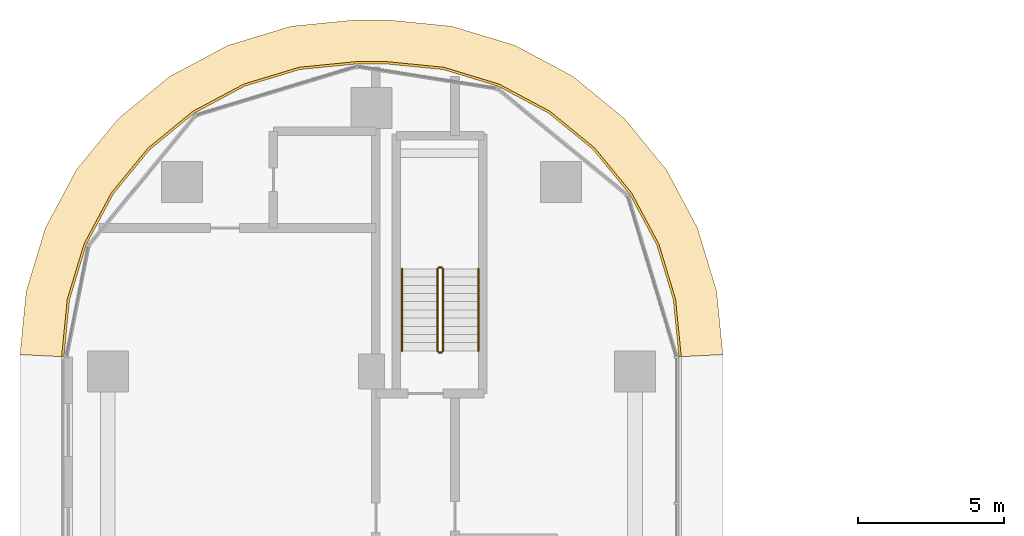
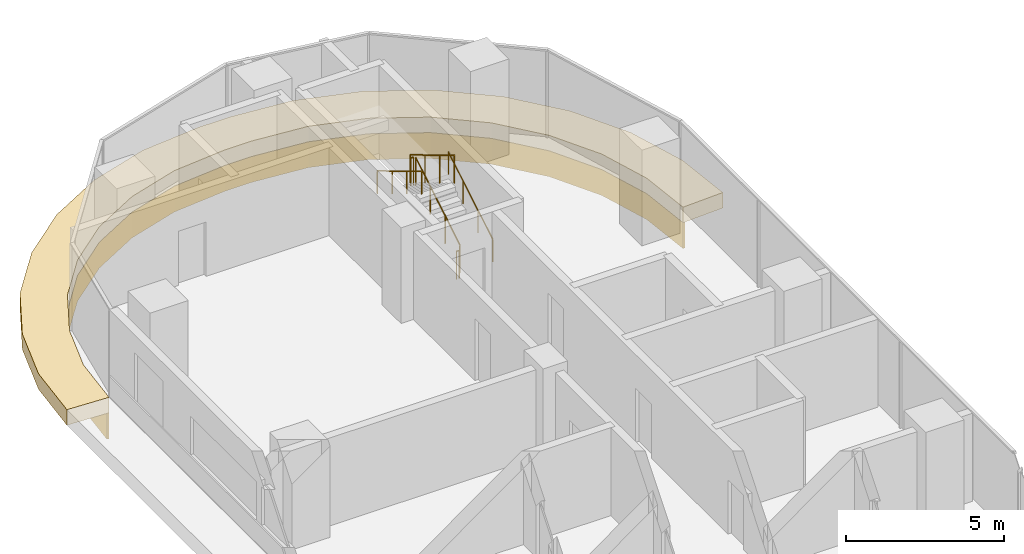
# One storey, part 33 of 36: 6 railings, 2 coverings.
"""IFC4 building model written with IfcOpenShell, lengths in metres."""

from ifc_helpers import new_model, si_unit, direction, frame, origin, origin_2d, place, context, subcontext, project, spatial, polyline, circle, outline, extrude, material, layer, layer_set, type_object, element, save


model = new_model("IFC4")

# Units and contexts
model_context = context("Model", 3, precision=1e-05, world=origin(), true_north=direction((0.0, 1.0)))
body_context = subcontext(model_context, "Body", "Model", "MODEL_VIEW")
ifc_project = project(units=[si_unit("LENGTHUNIT", "METRE"), si_unit("AREAUNIT", "SQUARE_METRE"), si_unit("VOLUMEUNIT", "CUBIC_METRE"), si_unit("PLANEANGLEUNIT", "RADIAN"), si_unit("MASSUNIT", "GRAM", prefix="KILO")], contexts=[model_context])

# Site, building, storey
site_placement = place(None, origin())
site = spatial("IfcSite", under=ifc_project, at=site_placement, CompositionType="ELEMENT")
building_placement = place(site_placement, origin())
building = spatial("IfcBuilding", under=site, at=building_placement, Name="Ogive Portal Towers", CompositionType="ELEMENT")
storey_placement = place(building_placement, frame((0.0, 0.0, 70.5)))
storey = spatial("IfcBuildingStorey", under=building, at=storey_placement, Name="L16", CompositionType="ELEMENT", Elevation=70.5)

# Railings
ifc_material_1 = material(Name="Stainless steel balustrade", Category="steel")
railing_type_1 = type_object("IfcRailingType", Name="INT-GUARD", PredefinedType="GUARDRAIL", material=ifc_material_1)
railing_1_placement = place(storey_placement, frame((42.949951171875, 67.199951171875, 0.168212890625)))
element("IfcRailing", 1, at=railing_1_placement, inside=storey, type_object=railing_type_1, Name="L16 ST-A3 stair guard 1", PredefinedType="GUARDRAIL", context=body_context, shape_type="SweptSolid", body=[
    extrude(circle(Radius=0.02392578125, at=origin_2d()), frame((0.0, 0.0, 1.076171875), z_axis=(0.0, 0.857242210791, 0.514913383045), x_axis=(-1.0, 0.0, 0.0)), (0.0, 0.0, 1.0), 3.266357421875),
    extrude(circle(Radius=0.02099609375, at=origin_2d()), origin(), (0.0, 0.0, 1.0), 1.052001953125),
    extrude(circle(Radius=0.02099609375, at=origin_2d()), frame((0.0, 0.933349609375, 0.560546875)), (0.0, 0.0, 1.0), 1.052001953125),
    extrude(circle(Radius=0.02099609375, at=origin_2d()), frame((0.0, 1.86669921875, 1.121337890625)), (0.0, 0.0, 1.0), 1.052001953125),
    extrude(circle(Radius=0.02099609375, at=origin_2d()), frame((0.0, 2.800048828125, 1.681884765625)), (0.0, 0.0, 1.0), 1.052001953125),
])
railing_2_placement = place(storey_placement, frame((42.89990234375, 70.050048828125, 1.85009765625)))
element("IfcRailing", 2, at=railing_2_placement, inside=storey, type_object=railing_type_1, Name="L16 ST-A3 stair guard 2", PredefinedType="GUARDRAIL", context=body_context, shape_type="SweptSolid", body=[
    extrude(circle(Radius=0.02392578125, at=origin_2d()), frame((0.0, 0.0, 1.076171875), z_axis=(-1.0, 0.0, 0.0), x_axis=(0.0, -1.0, 0.0)), (0.0, 0.0, 1.0), 0.099853515625),
    extrude(circle(Radius=0.02099609375, at=origin_2d()), origin(), (0.0, 0.0, 1.0), 1.052001953125),
    extrude(circle(Radius=0.02099609375, at=origin_2d()), frame((-0.099853515625, 0.0, 0.0)), (0.0, 0.0, 1.0), 1.052001953125),
])
railing_3_placement = place(storey_placement, frame((42.75, 70.0, 2.01806640625)))
element("IfcRailing", 3, at=railing_3_placement, inside=storey, type_object=railing_type_1, Name="L16 ST-A3 stair guard 3", PredefinedType="GUARDRAIL", context=body_context, shape_type="SweptSolid", body=[
    extrude(circle(Radius=0.02392578125, at=origin_2d()), frame((0.0, 0.0, 1.076171875), z_axis=(0.0, -0.857242210791, 0.514913383045), x_axis=(1.0, 0.0, 0.0)), (0.0, 0.0, 1.0), 3.266357421875),
    extrude(circle(Radius=0.02099609375, at=origin_2d()), origin(), (0.0, 0.0, 1.0), 1.052001953125),
    extrude(circle(Radius=0.02099609375, at=origin_2d()), frame((0.0, -0.933349609375, 0.560546875)), (0.0, 0.0, 1.0), 1.052001953125),
    extrude(circle(Radius=0.02099609375, at=origin_2d()), frame((0.0, -1.86669921875, 1.121337890625)), (0.0, 0.0, 1.0), 1.052001953125),
    extrude(circle(Radius=0.02099609375, at=origin_2d()), frame((0.0, -2.800048828125, 1.681884765625)), (0.0, 0.0, 1.0), 1.052001953125),
])
railing_4_placement = place(storey_placement, frame((42.89990234375, 67.14990234375, 0.0)))
element("IfcRailing", 4, at=railing_4_placement, inside=storey, type_object=railing_type_1, Name="L16 ST-A3 stair guard 4", PredefinedType="GUARDRAIL", context=body_context, shape_type="SweptSolid", body=[
    extrude(circle(Radius=0.02392578125, at=origin_2d()), frame((0.0, 0.0, 1.076171875), z_axis=(-1.0, 0.0, 0.0), x_axis=(0.0, -1.0, 0.0)), (0.0, 0.0, 1.0), 0.099853515625),
    extrude(circle(Radius=0.02099609375, at=origin_2d()), origin(), (0.0, 0.0, 1.0), 1.052001953125),
    extrude(circle(Radius=0.02099609375, at=origin_2d()), frame((-0.099853515625, 0.0, 0.0)), (0.0, 0.0, 1.0), 1.052001953125),
])
ifc_material_2 = material(Name="Stainless steel handrail", Category="steel")
railing_type_2 = type_object("IfcRailingType", Name="INT-HANDRAIL", PredefinedType="HANDRAIL", material=ifc_material_2)
railing_5_placement = place(storey_placement, frame((44.14990234375, 67.199951171875, 0.168212890625)))
element("IfcRailing", 5, at=railing_5_placement, inside=storey, type_object=railing_type_2, Name="L16 ST-A3 stair handrail 1", PredefinedType="HANDRAIL", context=body_context, shape_type="SweptSolid", body=[
    extrude(circle(Radius=0.02392578125, at=origin_2d()), frame((0.0, 0.0, 0.8759765625), z_axis=(0.0, 0.857242210791, 0.514913383045), x_axis=(-1.0, 0.0, 0.0)), (0.0, 0.0, 1.0), 3.266357421875),
    extrude(circle(Radius=0.02099609375, at=origin_2d()), origin(), (0.0, 0.0, 1.0), 0.851806640625),
    extrude(circle(Radius=0.02099609375, at=origin_2d()), frame((0.0, 0.933349609375, 0.560546875)), (0.0, 0.0, 1.0), 0.851806640625),
    extrude(circle(Radius=0.02099609375, at=origin_2d()), frame((0.0, 1.86669921875, 1.121337890625)), (0.0, 0.0, 1.0), 0.851806640625),
    extrude(circle(Radius=0.02099609375, at=origin_2d()), frame((0.0, 2.800048828125, 1.681884765625)), (0.0, 0.0, 1.0), 0.851806640625),
])
railing_6_placement = place(storey_placement, frame((41.550048828125, 70.0, 2.01806640625)))
element("IfcRailing", 6, at=railing_6_placement, inside=storey, type_object=railing_type_2, Name="L16 ST-A3 stair handrail 2", PredefinedType="HANDRAIL", context=body_context, shape_type="SweptSolid", body=[
    extrude(circle(Radius=0.02392578125, at=origin_2d()), frame((0.0, 0.0, 0.8759765625), z_axis=(0.0, -0.857242210791, 0.514913383045), x_axis=(1.0, 0.0, 0.0)), (0.0, 0.0, 1.0), 3.266357421875),
    extrude(circle(Radius=0.02099609375, at=origin_2d()), origin(), (0.0, 0.0, 1.0), 0.851806640625),
    extrude(circle(Radius=0.02099609375, at=origin_2d()), frame((0.0, -0.933349609375, 0.560546875)), (0.0, 0.0, 1.0), 0.851806640625),
    extrude(circle(Radius=0.02099609375, at=origin_2d()), frame((0.0, -1.86669921875, 1.121337890625)), (0.0, 0.0, 1.0), 0.851806640625),
    extrude(circle(Radius=0.02099609375, at=origin_2d()), frame((0.0, -2.800048828125, 1.681884765625)), (0.0, 0.0, 1.0), 0.851806640625),
])

# Coverings
ifc_material_3 = material(Name="Limestone cladding on lightweight block wall", Category="masonry")
ifc_layer_1 = layer(ifc_material_3, 0.080078125)
ifc_layer_set_1 = layer_set([ifc_layer_1], Name="STONE SPANDREL 80")
covering_type_1 = type_object("IfcCoveringType", Name="STONE SPANDREL 80", PredefinedType="CLADDING", material=ifc_layer_set_1)
covering_1_placement = place(storey_placement, frame((0.0, 0.0, -1.60009765625)))
element("IfcCovering", 7, at=covering_1_placement, inside=storey, type_object=covering_type_1, Name="Stone spandrel A1-F12", PredefinedType="CLADDING", context=body_context, shape_type="SweptSolid", body=[
    extrude(outline(polyline([(51.0, 67.0), (50.807861328125, 68.950927734375), (50.23876953125, 70.826904296875), (49.314697265625, 72.5556640625), (48.071044921875, 74.071044921875), (46.5556640625, 75.314697265625), (44.826904296875, 76.23876953125), (42.950927734375, 76.807861328125), (41.0, 77.0), (40.0, 77.0), (38.049072265625, 76.807861328125), (36.173095703125, 76.23876953125), (34.4443359375, 75.314697265625), (32.928955078125, 74.071044921875), (31.685302734375, 72.5556640625), (30.76123046875, 70.826904296875), (30.192138671875, 68.950927734375), (30.0, 67.0), (29.919921875, 67.00390625), (30.11328125, 68.966552734375), (30.68701171875, 70.857666015625), (31.618408203125, 72.600341796875), (32.8720703125, 74.1279296875), (34.399658203125, 75.381591796875), (36.142333984375, 76.31298828125), (38.033447265625, 76.88671875), (39.99609375, 77.080078125), (41.00390625, 77.080078125), (42.966552734375, 76.88671875), (44.857666015625, 76.31298828125), (46.600341796875, 75.381591796875), (48.1279296875, 74.1279296875), (49.381591796875, 72.600341796875), (50.31298828125, 70.857666015625), (50.88671875, 68.966552734375), (51.080078125, 67.00390625), (51.0, 67.0)])), origin(), (0.0, 0.0, 1.0), 1.0),
])
ifc_layer_2 = layer(ifc_material_3, 0.60009765625)
ifc_layer_set_2 = layer_set([ifc_layer_2], Name="SUNSHADE LIP 600")
covering_type_2 = type_object("IfcCoveringType", Name="SUNSHADE LIP 600", PredefinedType="CLADDING", material=ifc_layer_set_2)
covering_2_placement = place(storey_placement, frame((0.0, 0.0, -0.60009765625)))
element("IfcCovering", 8, at=covering_2_placement, inside=storey, type_object=covering_type_2, Name="Sunshade lip A1-F12", PredefinedType="CLADDING", context=body_context, shape_type="SweptSolid", body=[
    extrude(outline(polyline([(51.0, 67.0), (50.807861328125, 68.950927734375), (50.23876953125, 70.826904296875), (49.314697265625, 72.5556640625), (48.071044921875, 74.071044921875), (46.5556640625, 75.314697265625), (44.826904296875, 76.23876953125), (42.950927734375, 76.807861328125), (41.0, 77.0), (40.0, 77.0), (38.049072265625, 76.807861328125), (36.173095703125, 76.23876953125), (34.4443359375, 75.314697265625), (32.928955078125, 74.071044921875), (31.685302734375, 72.5556640625), (30.76123046875, 70.826904296875), (30.192138671875, 68.950927734375), (30.0, 67.0), (28.5, 67.07373046875), (28.7138671875, 69.244873046875), (29.36865234375, 71.403564453125), (30.43212890625, 73.39306640625), (31.863037109375, 75.136962890625), (33.60693359375, 76.56787109375), (35.596435546875, 77.63134765625), (37.755126953125, 78.2861328125), (39.92626953125, 78.5), (41.07373046875, 78.5), (43.244873046875, 78.2861328125), (45.403564453125, 77.63134765625), (47.39306640625, 76.56787109375), (49.136962890625, 75.136962890625), (50.56787109375, 73.39306640625), (51.63134765625, 71.403564453125), (52.2861328125, 69.244873046875), (52.5, 67.07373046875), (51.0, 67.0)])), origin(), (0.0, 0.0, 1.0), 0.60009765625),
])

save(model, "model.ifc")
